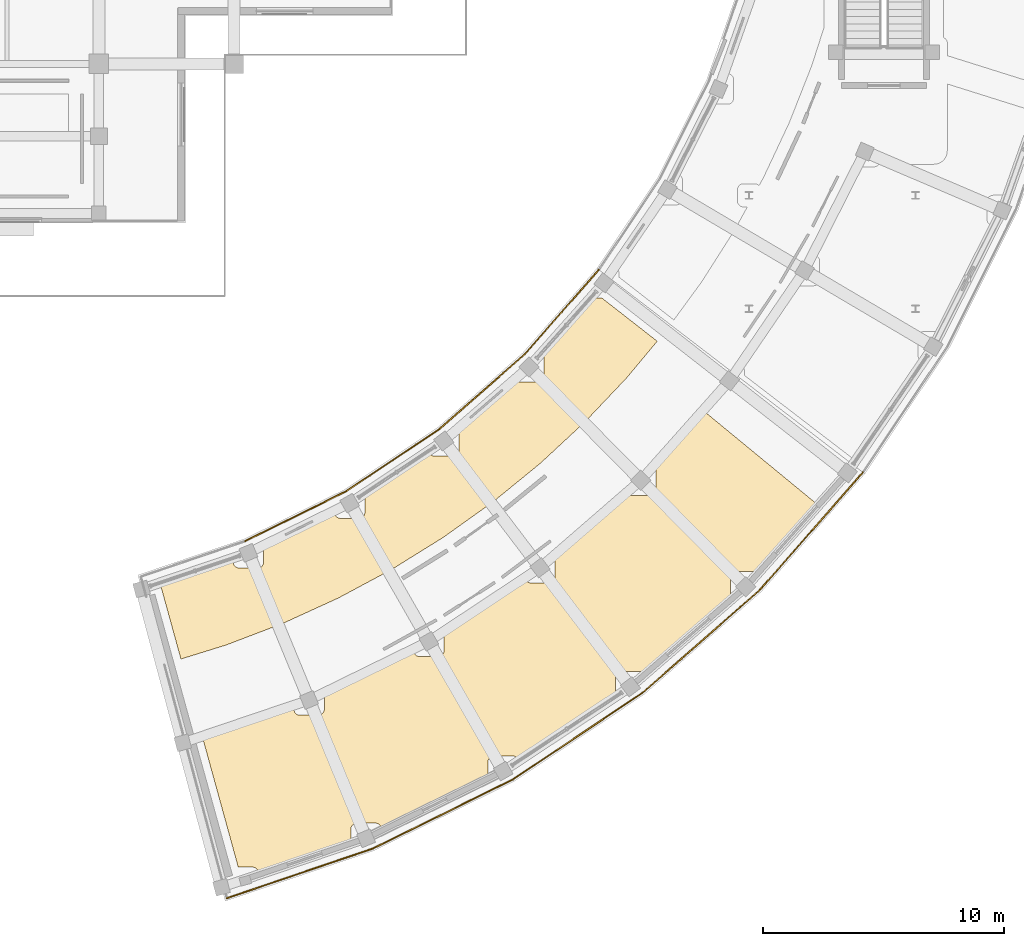
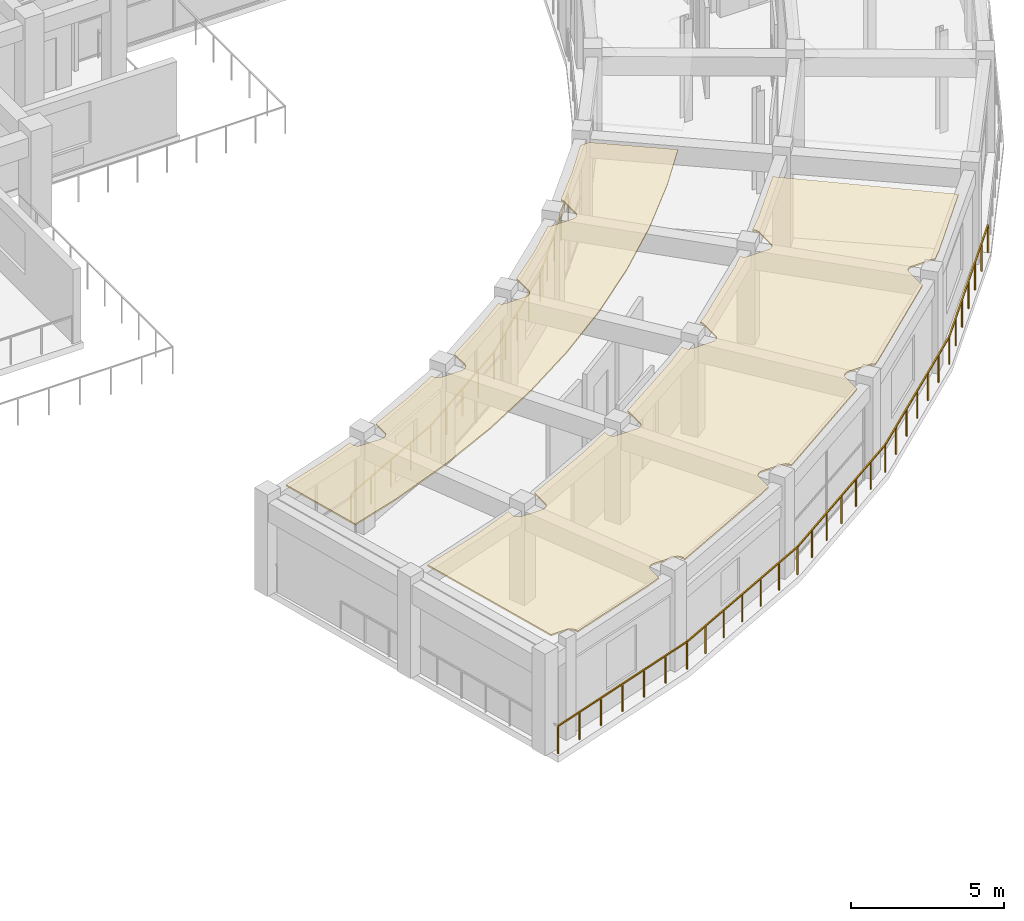
# One storey, part 63 of 72: 9 railings, 2 coverings.
"""IFC4 building model written with IfcOpenShell, lengths in metres."""

import ifcopenshell
import ifcopenshell.guid

model = None  # the IFC model being written
_history = None  # IfcOwnerHistory: only IFC2X3 demands one
_inside = {}  # id of a spatial element -> (the spatial element, [elements in it])
_under = {}  # id of a project, library or spatial element -> (it, [spatial elements below it])
_declared = {}  # id of a project -> (the project, [libraries it declares])
_typed = {}  # id of a type object -> (the type object, [elements of that type])
_made_of = {}  # id of a material, layer set ... -> (it, [elements and type objects made of it])


def new_model(schema):
    """Start an empty IFC model of exactly this schema.

    Asked for "IFC4X3", IfcOpenShell would pick the latest addendum, in which some entities
    have other attributes; the version numbers below select the first issue.
    IFC2X3 requires an IfcOwnerHistory on every rooted entity: one is made here for all.
    """
    global model, _history
    if schema == "IFC4X3":
        model = ifcopenshell.file(schema_version=(4, 3, 0, 0))
    else:
        model = ifcopenshell.file(schema=schema)
    _inside.clear()
    _under.clear()
    _declared.clear()
    _typed.clear()
    _made_of.clear()
    _history = None
    if model.schema == "IFC2X3":
        org = make("IfcOrganization", Name="unknown")
        user = make(
            "IfcPersonAndOrganization",
            ThePerson=make("IfcPerson", FamilyName="unknown"),
            TheOrganization=org,
        )
        app = make(
            "IfcApplication",
            ApplicationDeveloper=org,
            Version="unknown",
            ApplicationFullName="unknown",
            ApplicationIdentifier="unknown",
        )
        _history = make(
            "IfcOwnerHistory",
            OwningUser=user,
            OwningApplication=app,
            ChangeAction="ADDED",
            CreationDate=0,
        )
    return model


def make(cls, **values):
    """One entity of the class cls with the attributes given. An attribute that is None is left unset."""
    return model.create_entity(
        cls, **{name: value for name, value in values.items() if value is not None}
    )


def rooted(cls, **values):
    """An entity with a GlobalId (a new one), such as an element, a storey or a relation."""
    return make(cls, GlobalId=ifcopenshell.guid.new(), OwnerHistory=_history, **values)


def si_unit(unit_type, name, prefix=None):
    """IfcSIUnit, for example si_unit("LENGTHUNIT", "METRE", prefix="MILLI")."""
    return make("IfcSIUnit", UnitType=unit_type, Prefix=prefix, Name=name)


def assignment(units):
    """IfcUnitAssignment: the units of a project."""
    return None if units is None else make("IfcUnitAssignment", Units=units)


def point(xyz):
    """IfcCartesianPoint."""
    return None if xyz is None else make("IfcCartesianPoint", Coordinates=xyz)


def direction(xyz):
    """IfcDirection."""
    return None if xyz is None else make("IfcDirection", DirectionRatios=xyz)


def frame(location, z_axis=None, x_axis=None):
    """IfcAxis2Placement3D, a coordinate frame: its origin and axes. An axis left out is left unset."""
    return make(
        "IfcAxis2Placement3D",
        Location=point(location),
        Axis=direction(z_axis),
        RefDirection=direction(x_axis),
    )


def frame_2d(location, x_axis=None):
    """IfcAxis2Placement2D, a coordinate frame in the plane: its origin and x axis."""
    return make(
        "IfcAxis2Placement2D", Location=point(location), RefDirection=direction(x_axis)
    )


def origin():
    """The frame at (0, 0, 0) with its axes left unset."""
    return frame((0.0, 0.0, 0.0))


def origin_2d():
    """The frame at (0, 0) in the plane with its x axis left unset."""
    return frame_2d((0.0, 0.0))


def place(relative_to, where):
    """IfcLocalPlacement: puts the frame where relative to a parent placement (None: the world)."""
    return make(
        "IfcLocalPlacement", PlacementRelTo=relative_to, RelativePlacement=where
    )


def context(
    kind, dimensions, precision=None, world=None, true_north=None, identifier=None
):
    """IfcGeometricRepresentationContext, for example the 3D "Model" context."""
    return make(
        "IfcGeometricRepresentationContext",
        ContextIdentifier=identifier,
        ContextType=kind,
        CoordinateSpaceDimension=dimensions,
        Precision=precision,
        WorldCoordinateSystem=world,
        TrueNorth=true_north,
    )


def subcontext(parent, identifier, kind, view, scale=None):
    """IfcGeometricRepresentationSubContext, for example "Body" below "Model"."""
    return make(
        "IfcGeometricRepresentationSubContext",
        ContextIdentifier=identifier,
        ContextType=kind,
        ParentContext=parent,
        TargetScale=scale,
        TargetView=view,
    )


def project(units=None, contexts=None):
    """IfcProject with its units and contexts."""
    return rooted(
        "IfcProject",
        Name="project",
        RepresentationContexts=contexts,
        UnitsInContext=assignment(units),
    )


def spatial(cls, under=None, at=None, **own):
    """A site, building, storey or space (cls), placed at a placement, below another one or the project."""
    s = rooted(cls, ObjectPlacement=at, **own)
    if under is not None:
        _under.setdefault(under.id(), (under, []))[1].append(s)
    return s


def polyline(points):
    """IfcPolyline through the points."""
    return make("IfcPolyline", Points=[point(p) for p in points])


def profile(cls, at=None, kind="AREA", **sizes):
    """A parametric profile (cls). Its sizes go by their IFC names, for example OverallWidth=200.0."""
    return make(cls, ProfileType=kind, Position=at, **sizes)


def rectangle(**sizes):
    """IfcRectangleProfileDef."""
    return profile("IfcRectangleProfileDef", **sizes)


def outline(outer, holes=None, kind="AREA"):
    """IfcArbitraryClosedProfileDef: a profile drawn as a closed curve; with holes, ...WithVoids."""
    if holes is None:
        return make("IfcArbitraryClosedProfileDef", ProfileType=kind, OuterCurve=outer)
    return make(
        "IfcArbitraryProfileDefWithVoids",
        ProfileType=kind,
        OuterCurve=outer,
        InnerCurves=holes,
    )


def extrude(swept, where, along, depth):
    """IfcExtrudedAreaSolid: the profile swept, set in the frame where, extruded along a direction by depth."""
    return make(
        "IfcExtrudedAreaSolid",
        SweptArea=swept,
        Position=where,
        ExtrudedDirection=direction(along),
        Depth=depth,
    )


def shape(context_of_items, identifier, shape_type, items):
    """IfcShapeRepresentation: the items that make up one representation, for example the "Body"."""
    return make(
        "IfcShapeRepresentation",
        ContextOfItems=context_of_items,
        RepresentationIdentifier=identifier,
        RepresentationType=shape_type,
        Items=items,
    )


def material(Name=None, Category=None):
    """IfcMaterial."""
    return make("IfcMaterial", Name=Name, Category=Category)


def layer(
    of_material, thickness, ventilated=None, Name=None, Category=None, Priority=None
):
    """IfcMaterialLayer: one layer of a wall or slab, of a material (None: an air gap)."""
    return make(
        "IfcMaterialLayer",
        Material=of_material,
        LayerThickness=thickness,
        IsVentilated=ventilated,
        Name=Name,
        Category=Category,
        Priority=Priority,
    )


def layer_set(layers, Name=None):
    """IfcMaterialLayerSet."""
    return make("IfcMaterialLayerSet", MaterialLayers=layers, LayerSetName=Name)


def made_of(thing, what):
    """Note that an element or type object is made of a material, layer set ...; save() writes the relation."""
    if what is not None:
        _made_of.setdefault(what.id(), (what, []))[1].append(thing)
    return thing


def type_object(cls, material=None, **own):
    """A type object (cls), such as IfcWallType, which elements share."""
    return made_of(rooted(cls, **own), material)


def element(
    cls,
    number,
    at=None,
    inside=None,
    cuts=None,
    type_object=None,
    material=None,
    context=None,
    identifier="Body",
    shape_type=None,
    held_by="IfcProductDefinitionShape",
    body=None,
    shapes=None,
    **own,
):
    """One element of the class cls, such as IfcWall. Its Tag is "e" and its number.

    at: its placement. inside: the storey or other place that contains it. cuts: it is an
    opening in that element (IfcRelVoidsElement). A single representation is given by context,
    identifier, shape_type and body (its items); several are given by shapes. held_by: the class
    of the entity that holds the representations. save() writes the other relations.
    """
    e = rooted(cls, Tag="e%d" % number, ObjectPlacement=at, **own)
    if body is not None:
        shapes = [shape(context, identifier, shape_type, body)]
    if shapes is not None:
        e.Representation = make(held_by, Representations=shapes)
    if inside is not None:
        _inside.setdefault(inside.id(), (inside, []))[1].append(e)
    if cuts is not None:
        rooted(
            "IfcRelVoidsElement", RelatingBuildingElement=cuts, RelatedOpeningElement=e
        )
    if type_object is not None:
        _typed.setdefault(type_object.id(), (type_object, []))[1].append(e)
    return made_of(e, material)


def aggregate(whole, parts):
    """IfcRelAggregates: a whole, such as a stair, and the parts it consists of."""
    return rooted("IfcRelAggregates", RelatingObject=whole, RelatedObjects=parts)


def save(model, path):
    """Write the relations noted so far, then the file.

    IfcRelAggregates (storeys below a building ...), IfcRelContainedInSpatialStructure (elements
    in a storey), IfcRelDefinesByType, IfcRelAssociatesMaterial and IfcRelDeclares: one each for
    every whole, place, type object, material and project.
    """
    for whole, parts in _under.values():
        aggregate(whole, parts)
    for where, things in _inside.values():
        rooted(
            "IfcRelContainedInSpatialStructure",
            RelatedElements=things,
            RelatingStructure=where,
        )
    for kind, things in _typed.values():
        rooted("IfcRelDefinesByType", RelatedObjects=things, RelatingType=kind)
    for what, things in _made_of.values():
        rooted("IfcRelAssociatesMaterial", RelatedObjects=things, RelatingMaterial=what)
    for by, libraries in _declared.values():
        rooted("IfcRelDeclares", RelatingContext=by, RelatedDefinitions=libraries)
    model.write(path)


model = new_model("IFC4")

# Units and contexts
model_context = context("Model", 3, precision=1e-05, world=origin(), true_north=direction((0.0, 1.0)))
body_context = subcontext(model_context, "Body", "Model", "MODEL_VIEW")
ifc_project = project(units=[si_unit("LENGTHUNIT", "METRE"), si_unit("AREAUNIT", "SQUARE_METRE"), si_unit("VOLUMEUNIT", "CUBIC_METRE"), si_unit("PLANEANGLEUNIT", "RADIAN"), si_unit("MASSUNIT", "GRAM", prefix="KILO")], contexts=[model_context])

# Site, building, storey
site_placement = place(None, origin())
site = spatial("IfcSite", under=ifc_project, at=site_placement, CompositionType="ELEMENT")
building_placement = place(site_placement, origin())
building = spatial("IfcBuilding", under=site, at=building_placement, Name="Saryqyr Civic Hall", CompositionType="ELEMENT")
storey_placement = place(building_placement, frame((0.0, 0.0, 17.25)))
storey = spatial("IfcBuildingStorey", under=building, at=storey_placement, Name="L04", CompositionType="ELEMENT", Elevation=17.25)

# Coverings
ifc_material_1 = material(Name="Mineral-fibre acoustic ceiling tile", Category="acoustic_tile")
ifc_layer_1 = layer(ifc_material_1, 0.06005859375, Name="Mineral-fibre acoustic ceiling tile")
ifc_layer_set_1 = layer_set([ifc_layer_1], Name="Mineral-fibre acoustic ceiling tile")
covering_type = type_object("IfcCoveringType", Name="INT-COV-CEIL-60", PredefinedType="CEILING", material=ifc_layer_set_1)
covering_1_placement = place(storey_placement, frame((0.0, 0.0, 3.72998046875)))
element("IfcCovering", 1, at=covering_1_placement, inside=storey, type_object=covering_type, Name="Acoustic ceiling Smart-City Digital Twin & IT Suite", PredefinedType="CEILING", context=body_context, shape_type="SweptSolid", body=[
    extrude(outline(polyline([(72.683349609375, 44.256591796875), (72.683349609375, 44.05078125), (72.6845703125, 44.0263671875), (72.68798828125, 44.002197265625), (72.694091796875, 43.978271484375), (72.702392578125, 43.955078125), (72.712890625, 43.93310546875), (72.725341796875, 43.912109375), (72.739990234375, 43.892333984375), (72.756591796875, 43.8740234375), (72.774658203125, 43.857666015625), (72.79443359375, 43.843017578125), (72.8154296875, 43.830322265625), (72.837646484375, 43.81982421875), (72.860595703125, 43.811767578125), (72.884521484375, 43.8056640625), (72.90869140625, 43.802001953125), (72.933349609375, 43.80078125), (73.693359375, 43.80078125), (73.7177734375, 43.802001953125), (73.7421875, 43.8056640625), (73.765869140625, 43.811767578125), (73.7890625, 43.81982421875), (73.81103515625, 43.830322265625), (73.832275390625, 43.843017578125), (73.851806640625, 43.857666015625), (73.8701171875, 43.8740234375), (73.88671875, 43.892333984375), (73.901123046875, 43.912109375), (73.913818359375, 43.93310546875), (73.92431640625, 43.955078125), (73.9326171875, 43.978271484375), (73.9384765625, 44.002197265625), (73.942138671875, 44.0263671875), (73.943359375, 44.05078125), (73.943359375, 44.75439453125), (76.470947265625, 45.94189453125), (76.50439453125, 45.958984375), (77.64697265625, 46.59423828125), (77.64697265625, 46.4833984375), (77.648193359375, 46.458984375), (77.65185546875, 46.4345703125), (77.65771484375, 46.410888671875), (77.666015625, 46.3876953125), (77.676513671875, 46.365478515625), (77.689208984375, 46.344482421875), (77.70361328125, 46.32470703125), (77.72021484375, 46.306640625), (77.73828125, 46.2900390625), (77.758056640625, 46.275390625), (77.779296875, 46.262939453125), (77.80126953125, 46.25244140625), (77.824462890625, 46.244140625), (77.84814453125, 46.23828125), (77.87255859375, 46.234619140625), (77.89697265625, 46.2333984375), (78.656982421875, 46.2333984375), (78.681396484375, 46.234619140625), (78.705810546875, 46.23828125), (78.7294921875, 46.244140625), (78.752685546875, 46.25244140625), (78.77490234375, 46.262939453125), (78.7958984375, 46.275390625), (78.815673828125, 46.2900390625), (78.833740234375, 46.306640625), (78.850341796875, 46.32470703125), (78.864990234375, 46.344482421875), (78.87744140625, 46.365478515625), (78.887939453125, 46.3876953125), (78.896240234375, 46.410888671875), (78.902099609375, 46.4345703125), (78.90576171875, 46.458984375), (78.906982421875, 46.4833984375), (78.906982421875, 47.243408203125), (78.90576171875, 47.267822265625), (78.902099609375, 47.292236328125), (78.902099609375, 47.292236328125), (79.018798828125, 47.35693359375), (79.05078125, 47.376220703125), (81.464111328125, 48.942138671875), (81.494873046875, 48.963623046875), (82.255859375, 49.534912109375), (82.257080078125, 49.5107421875), (82.260498046875, 49.486572265625), (82.2666015625, 49.462646484375), (82.27490234375, 49.439697265625), (82.285400390625, 49.41748046875), (82.2978515625, 49.396484375), (82.3125, 49.376708984375), (82.3291015625, 49.3583984375), (82.34716796875, 49.342041015625), (82.366943359375, 49.327392578125), (82.387939453125, 49.314697265625), (82.41015625, 49.30419921875), (82.43310546875, 49.296142578125), (82.45703125, 49.2900390625), (82.481201171875, 49.28662109375), (82.505859375, 49.285400390625), (83.265869140625, 49.285400390625), (83.290283203125, 49.28662109375), (83.314697265625, 49.2900390625), (83.33837890625, 49.296142578125), (83.361572265625, 49.30419921875), (83.383544921875, 49.314697265625), (83.40478515625, 49.327392578125), (83.42431640625, 49.342041015625), (83.442626953125, 49.3583984375), (83.458984375, 49.376708984375), (83.4736328125, 49.396484375), (83.486328125, 49.41748046875), (83.496826171875, 49.439697265625), (83.5048828125, 49.462646484375), (83.510986328125, 49.486572265625), (83.5146484375, 49.5107421875), (83.515869140625, 49.535400390625), (83.515869140625, 50.29541015625), (83.5146484375, 50.31982421875), (83.510986328125, 50.343994140625), (83.5048828125, 50.367919921875), (83.496826171875, 50.39111328125), (83.486328125, 50.4130859375), (83.4736328125, 50.43408203125), (83.466796875, 50.443603515625), (83.795654296875, 50.6904296875), (83.824951171875, 50.714111328125), (86.0029296875, 52.593505859375), (86.030517578125, 52.618896484375), (86.459716796875, 53.043701171875), (86.46240234375, 53.0380859375), (86.474853515625, 53.016845703125), (86.489501953125, 52.997314453125), (86.506103515625, 52.97900390625), (86.524169921875, 52.96240234375), (86.5439453125, 52.947998046875), (86.56494140625, 52.935302734375), (86.587158203125, 52.9248046875), (86.610107421875, 52.91650390625), (86.634033203125, 52.91064453125), (86.658203125, 52.906982421875), (86.682861328125, 52.90576171875), (87.44287109375, 52.90576171875), (87.46728515625, 52.906982421875), (87.49169921875, 52.91064453125), (87.515380859375, 52.91650390625), (87.53857421875, 52.9248046875), (87.560546875, 52.935302734375), (87.581787109375, 52.947998046875), (87.601318359375, 52.96240234375), (87.61962890625, 52.97900390625), (87.635986328125, 52.997314453125), (87.650634765625, 53.016845703125), (87.663330078125, 53.0380859375), (87.673828125, 53.06005859375), (87.681884765625, 53.083251953125), (87.68798828125, 53.10693359375), (87.691650390625, 53.13134765625), (87.69287109375, 53.15576171875), (87.69287109375, 53.915771484375), (87.691650390625, 53.940185546875), (87.68798828125, 53.964599609375), (87.681884765625, 53.98828125), (87.673828125, 54.011474609375), (87.663330078125, 54.03369140625), (87.650634765625, 54.0546875), (87.635986328125, 54.074462890625), (87.61962890625, 54.092529296875), (87.601318359375, 54.109130859375), (87.581787109375, 54.123779296875), (87.5625, 54.135009765625), (88.0751953125, 54.642578125), (88.10107421875, 54.669921875), (89.651611328125, 56.42919921875), (94.39306640625, 52.529052734375), (92.24951171875, 50.084716796875), (91.894287109375, 49.7333984375), (91.893310546875, 49.733642578125), (91.870361328125, 49.741943359375), (91.846435546875, 49.747802734375), (91.822265625, 49.75146484375), (91.797607421875, 49.752685546875), (91.03759765625, 49.752685546875), (91.01318359375, 49.75146484375), (90.989013671875, 49.747802734375), (90.965087890625, 49.741943359375), (90.94189453125, 49.733642578125), (90.919921875, 49.72314453125), (90.898681640625, 49.710693359375), (90.879150390625, 49.696044921875), (90.86083984375, 49.679443359375), (90.844482421875, 49.661376953125), (90.829833984375, 49.6416015625), (90.817138671875, 49.62060546875), (90.806640625, 49.598388671875), (90.798583984375, 49.5751953125), (90.79248046875, 49.551513671875), (90.788818359375, 49.527099609375), (90.78759765625, 49.502685546875), (90.78759765625, 48.74267578125), (90.788818359375, 48.71826171875), (90.79248046875, 48.69384765625), (90.798583984375, 48.670166015625), (90.80419921875, 48.654541015625), (90.791748046875, 48.64208984375), (87.448486328125, 45.710205078125), (87.201416015625, 45.52490234375), (87.1923828125, 45.53466796875), (87.17431640625, 45.551025390625), (87.154541015625, 45.565673828125), (87.13330078125, 45.578369140625), (87.111328125, 45.5888671875), (87.088134765625, 45.596923828125), (87.064453125, 45.60302734375), (87.0400390625, 45.606689453125), (87.015625, 45.60791015625), (86.255615234375, 45.60791015625), (86.231201171875, 45.606689453125), (86.206787109375, 45.60302734375), (86.18310546875, 45.596923828125), (86.159912109375, 45.5888671875), (86.1376953125, 45.578369140625), (86.11669921875, 45.565673828125), (86.096923828125, 45.551025390625), (86.078857421875, 45.53466796875), (86.062255859375, 45.516357421875), (86.047607421875, 45.49658203125), (86.03515625, 45.4755859375), (86.024658203125, 45.45361328125), (86.016357421875, 45.430419921875), (86.010498046875, 45.406494140625), (86.0068359375, 45.38232421875), (86.005615234375, 45.35791015625), (86.005615234375, 44.62744140625), (85.82861328125, 44.49462890625), (82.1064453125, 42.007568359375), (81.978271484375, 41.936279296875), (81.97021484375, 41.95947265625), (81.959716796875, 41.9814453125), (81.947021484375, 42.002685546875), (81.932373046875, 42.022216796875), (81.916015625, 42.04052734375), (81.897705078125, 42.056884765625), (81.8779296875, 42.071533203125), (81.85693359375, 42.084228515625), (81.834716796875, 42.0947265625), (81.811767578125, 42.102783203125), (81.787841796875, 42.10888671875), (81.763671875, 42.112548828125), (81.739013671875, 42.11376953125), (80.97900390625, 42.11376953125), (80.95458984375, 42.112548828125), (80.930419921875, 42.10888671875), (80.906494140625, 42.102783203125), (80.88330078125, 42.0947265625), (80.861328125, 42.084228515625), (80.840087890625, 42.071533203125), (80.820556640625, 42.056884765625), (80.80224609375, 42.04052734375), (80.785888671875, 42.022216796875), (80.771240234375, 42.002685546875), (80.758544921875, 41.9814453125), (80.748046875, 41.95947265625), (80.739990234375, 41.936279296875), (80.73388671875, 41.91259765625), (80.730224609375, 41.88818359375), (80.72900390625, 41.86376953125), (80.72900390625, 41.24169921875), (80.373779296875, 41.044189453125), (76.306396484375, 39.0419921875), (76.306396484375, 39.078857421875), (76.30517578125, 39.103515625), (76.301513671875, 39.127685546875), (76.295654296875, 39.151611328125), (76.287353515625, 39.174560546875), (76.27685546875, 39.19677734375), (76.264404296875, 39.2177734375), (76.249755859375, 39.237548828125), (76.233154296875, 39.255615234375), (76.215087890625, 39.272216796875), (76.1953125, 39.286865234375), (76.17431640625, 39.29931640625), (76.152099609375, 39.309814453125), (76.12890625, 39.318115234375), (76.105224609375, 39.32421875), (76.080810546875, 39.32763671875), (76.056396484375, 39.328857421875), (75.29638671875, 39.328857421875), (75.27197265625, 39.32763671875), (75.24755859375, 39.32421875), (75.223876953125, 39.318115234375), (75.20068359375, 39.309814453125), (75.1787109375, 39.29931640625), (75.157470703125, 39.286865234375), (75.1376953125, 39.272216796875), (75.11962890625, 39.255615234375), (75.10302734375, 39.237548828125), (75.08837890625, 39.2177734375), (75.075927734375, 39.19677734375), (75.0654296875, 39.174560546875), (75.05712890625, 39.151611328125), (75.05126953125, 39.127685546875), (75.047607421875, 39.103515625), (75.04638671875, 39.078857421875), (75.04638671875, 38.54931640625), (74.531982421875, 38.34912109375), (71.2255859375, 37.24072265625), (71.2255859375, 37.25048828125), (71.224365234375, 37.275146484375), (71.220703125, 37.29931640625), (71.21484375, 37.3232421875), (71.20654296875, 37.34619140625), (71.196044921875, 37.368408203125), (71.18359375, 37.389404296875), (71.1689453125, 37.4091796875), (71.15234375, 37.427490234375), (71.13427734375, 37.44384765625), (71.114501953125, 37.45849609375), (71.093505859375, 37.47119140625), (71.0712890625, 37.481689453125), (71.048095703125, 37.48974609375), (71.0244140625, 37.495849609375), (71.0, 37.49951171875), (70.9755859375, 37.50048828125), (70.378662109375, 37.50048828125), (68.8779296875, 42.94873046875), (71.1162109375, 43.648193359375), (71.151611328125, 43.66064453125), (72.683349609375, 44.256591796875)])), origin(), (0.0, 0.0, 1.0), 0.06005859375),
])
covering_2_placement = place(storey_placement, frame((0.0, 0.0, 3.72998046875)))
element("IfcCovering", 2, at=covering_2_placement, inside=storey, type_object=covering_type, Name="Acoustic ceiling Standing Committee Room 6 (Infrastructure)", PredefinedType="CEILING", context=body_context, shape_type="SweptSolid", body=[
    extrude(outline(polyline([(70.167724609375, 50.152587890625), (70.1689453125, 50.128173828125), (70.172607421875, 50.103759765625), (70.178466796875, 50.080078125), (70.186767578125, 50.056884765625), (70.197265625, 50.034912109375), (70.209716796875, 50.013671875), (70.224365234375, 49.993896484375), (70.240966796875, 49.975830078125), (70.259033203125, 49.959228515625), (70.27880859375, 49.944580078125), (70.2998046875, 49.93212890625), (70.322021484375, 49.921630859375), (70.34521484375, 49.913330078125), (70.368896484375, 49.907470703125), (70.393310546875, 49.90380859375), (70.417724609375, 49.902587890625), (71.177734375, 49.902587890625), (71.2021484375, 49.90380859375), (71.2265625, 49.907470703125), (71.250244140625, 49.913330078125), (71.2734375, 49.921630859375), (71.29541015625, 49.93212890625), (71.316650390625, 49.944580078125), (71.336181640625, 49.959228515625), (71.3544921875, 49.975830078125), (71.37109375, 49.993896484375), (71.385498046875, 50.013671875), (71.398193359375, 50.034912109375), (71.40869140625, 50.056884765625), (71.4169921875, 50.080078125), (71.4228515625, 50.103759765625), (71.426513671875, 50.128173828125), (71.427734375, 50.152587890625), (71.427734375, 50.735595703125), (73.10400390625, 51.50146484375), (73.135498046875, 51.51708984375), (74.3681640625, 52.1787109375), (74.37060546875, 52.1611328125), (74.376708984375, 52.137451171875), (74.385009765625, 52.1142578125), (74.3955078125, 52.09228515625), (74.407958984375, 52.071044921875), (74.422607421875, 52.051513671875), (74.439208984375, 52.033203125), (74.457275390625, 52.0166015625), (74.47705078125, 52.002197265625), (74.498046875, 51.989501953125), (74.520263671875, 51.97900390625), (74.543212890625, 51.970703125), (74.567138671875, 51.96484375), (74.59130859375, 51.961181640625), (74.615966796875, 51.9599609375), (75.3759765625, 51.9599609375), (75.400390625, 51.961181640625), (75.4248046875, 51.96484375), (75.448486328125, 51.970703125), (75.4716796875, 51.97900390625), (75.49365234375, 51.989501953125), (75.514892578125, 52.002197265625), (75.534423828125, 52.0166015625), (75.552734375, 52.033203125), (75.569091796875, 52.051513671875), (75.583740234375, 52.071044921875), (75.596435546875, 52.09228515625), (75.60693359375, 52.1142578125), (75.614990234375, 52.137451171875), (75.62109375, 52.1611328125), (75.624755859375, 52.185546875), (75.6259765625, 52.2099609375), (75.6259765625, 52.89306640625), (77.115966796875, 53.81982421875), (77.145263671875, 53.83935546875), (78.29931640625, 54.663818359375), (78.30615234375, 54.65234375), (78.32080078125, 54.6328125), (78.337158203125, 54.614501953125), (78.35546875, 54.597900390625), (78.375, 54.58349609375), (78.396240234375, 54.57080078125), (78.418212890625, 54.560302734375), (78.44140625, 54.552001953125), (78.465087890625, 54.546142578125), (78.489501953125, 54.54248046875), (78.513916015625, 54.541259765625), (79.27392578125, 54.541259765625), (79.298583984375, 54.54248046875), (79.32275390625, 54.546142578125), (79.3466796875, 54.552001953125), (79.36962890625, 54.560302734375), (79.391845703125, 54.57080078125), (79.412841796875, 54.58349609375), (79.4326171875, 54.597900390625), (79.45068359375, 54.614501953125), (79.46728515625, 54.6328125), (79.48193359375, 54.65234375), (79.494384765625, 54.673583984375), (79.5048828125, 54.695556640625), (79.51318359375, 54.71875), (79.519287109375, 54.742431640625), (79.522705078125, 54.766845703125), (79.52392578125, 54.791259765625), (79.52392578125, 55.55126953125), (79.522705078125, 55.57568359375), (79.52099609375, 55.587890625), (80.7998046875, 56.630859375), (80.826416015625, 56.654052734375), (81.900634765625, 57.651123046875), (81.907958984375, 57.6455078125), (81.92919921875, 57.633056640625), (81.951171875, 57.62255859375), (81.974365234375, 57.6142578125), (81.998046875, 57.6083984375), (82.0224609375, 57.604736328125), (82.046875, 57.603515625), (82.806884765625, 57.603515625), (82.831298828125, 57.604736328125), (82.855712890625, 57.6083984375), (82.87939453125, 57.6142578125), (82.902587890625, 57.62255859375), (82.9248046875, 57.633056640625), (82.94580078125, 57.6455078125), (82.965576171875, 57.66015625), (82.983642578125, 57.6767578125), (83.000244140625, 57.69482421875), (83.014892578125, 57.714599609375), (83.02734375, 57.735595703125), (83.037841796875, 57.7578125), (83.046142578125, 57.781005859375), (83.052001953125, 57.8046875), (83.0556640625, 57.8291015625), (83.056884765625, 57.853515625), (83.056884765625, 58.613525390625), (83.0556640625, 58.637939453125), (83.052001953125, 58.662353515625), (83.046142578125, 58.68603515625), (83.037841796875, 58.709228515625), (83.02734375, 58.731201171875), (83.01611328125, 58.75048828125), (84.094970703125, 59.888671875), (84.118408203125, 59.9150390625), (85.106201171875, 61.1005859375), (85.10693359375, 61.100341796875), (85.131103515625, 61.0966796875), (85.15576171875, 61.095458984375), (85.448974609375, 61.095458984375), (87.7451171875, 59.30322265625), (86.483154296875, 57.7890625), (84.748779296875, 55.958984375), (82.90087890625, 54.243896484375), (80.947265625, 52.650146484375), (78.8955078125, 51.184326171875), (76.754638671875, 49.852783203125), (74.532958984375, 48.66064453125), (72.23974609375, 47.61279296875), (69.88427734375, 46.713623046875), (68.001708984375, 46.129638671875), (67.157470703125, 49.195068359375), (68.8291015625, 49.71337890625), (68.8623046875, 49.72509765625), (70.167724609375, 50.223388671875), (70.167724609375, 50.152587890625)])), origin(), (0.0, 0.0, 1.0), 0.06005859375),
])

# Railings
ifc_material_2 = material(Name="Warm brushed brass and laminated glass", Category="glass")
ifc_layer_2 = layer(ifc_material_2, 0.06005859375, Name="Warm brushed brass and laminated glass")
ifc_layer_set_2 = layer_set([ifc_layer_2], Name="Warm brushed brass and laminated glass")
railing_type = type_object("IfcRailingType", Name="INT-RLG-BAL-1100", PredefinedType="BALUSTRADE", material=ifc_layer_set_2)
railing_1_placement = place(storey_placement, frame((96.270751953125, 53.866455078125, 0.0)))
element("IfcRailing", 3, at=railing_1_placement, inside=storey, type_object=railing_type, Name="Interior deck safety balustrade L04-065", PredefinedType="BALUSTRADE", context=body_context, shape_type="SweptSolid", body=[
    extrude(rectangle(XDim=0.048095703125, YDim=0.048095703125, at=origin_2d()), frame((0.0, 0.0, 1.09619140625), z_axis=(-0.659326405009, -0.751856829228, 0.0), x_axis=(0.751856829228, -0.659326405009, 0.0)), (0.0, 0.0, 1.0), 6.474853515625),
    extrude(rectangle(XDim=0.0419921875, YDim=0.0419921875, at=origin_2d()), origin(), (0.0, 0.0, 1.0), 1.072021484375),
    extrude(rectangle(XDim=0.0419921875, YDim=0.0419921875, at=origin_2d()), frame((-0.71142578125, -0.811279296875, 0.0)), (0.0, 0.0, 1.0), 1.072021484375),
    extrude(rectangle(XDim=0.0419921875, YDim=0.0419921875, at=origin_2d()), frame((-1.423095703125, -1.622802734375, 0.0)), (0.0, 0.0, 1.0), 1.072021484375),
    extrude(rectangle(XDim=0.0419921875, YDim=0.0419921875, at=origin_2d()), frame((-2.134521484375, -2.43408203125, 0.0)), (0.0, 0.0, 1.0), 1.072021484375),
    extrude(rectangle(XDim=0.0419921875, YDim=0.0419921875, at=origin_2d()), frame((-2.845947265625, -3.245361328125, 0.0)), (0.0, 0.0, 1.0), 1.072021484375),
    extrude(rectangle(XDim=0.0419921875, YDim=0.0419921875, at=origin_2d()), frame((-3.5576171875, -4.056884765625, 0.0)), (0.0, 0.0, 1.0), 1.072021484375),
    extrude(rectangle(XDim=0.0419921875, YDim=0.0419921875, at=origin_2d()), frame((-4.26904296875, -4.8681640625, 0.0)), (0.0, 0.0, 1.0), 1.072021484375),
])
railing_2_placement = place(storey_placement, frame((92.001708984375, 48.998291015625, 0.0)))
element("IfcRailing", 4, at=railing_2_placement, inside=storey, type_object=railing_type, Name="Interior deck safety balustrade L04-066", PredefinedType="BALUSTRADE", context=body_context, shape_type="SweptSolid", body=[
    extrude(rectangle(XDim=0.048095703125, YDim=0.048095703125, at=origin_2d()), frame((0.0, 0.0, 1.09619140625), z_axis=(-0.751856829228, -0.659326405009, 0.0), x_axis=(0.659326405009, -0.751856829228, 0.0)), (0.0, 0.0, 1.0), 6.474853515625),
    extrude(rectangle(XDim=0.0419921875, YDim=0.0419921875, at=origin_2d()), origin(), (0.0, 0.0, 1.0), 1.072021484375),
    extrude(rectangle(XDim=0.0419921875, YDim=0.0419921875, at=origin_2d()), frame((-0.811279296875, -0.71142578125, 0.0)), (0.0, 0.0, 1.0), 1.072021484375),
    extrude(rectangle(XDim=0.0419921875, YDim=0.0419921875, at=origin_2d()), frame((-1.622802734375, -1.423095703125, 0.0)), (0.0, 0.0, 1.0), 1.072021484375),
    extrude(rectangle(XDim=0.0419921875, YDim=0.0419921875, at=origin_2d()), frame((-2.43408203125, -2.134521484375, 0.0)), (0.0, 0.0, 1.0), 1.072021484375),
    extrude(rectangle(XDim=0.0419921875, YDim=0.0419921875, at=origin_2d()), frame((-3.245361328125, -2.845947265625, 0.0)), (0.0, 0.0, 1.0), 1.072021484375),
    extrude(rectangle(XDim=0.0419921875, YDim=0.0419921875, at=origin_2d()), frame((-4.056884765625, -3.5576171875, 0.0)), (0.0, 0.0, 1.0), 1.072021484375),
    extrude(rectangle(XDim=0.0419921875, YDim=0.0419921875, at=origin_2d()), frame((-4.8681640625, -4.26904296875, 0.0)), (0.0, 0.0, 1.0), 1.072021484375),
])
railing_3_placement = place(storey_placement, frame((87.133544921875, 44.729248046875, 0.0)))
element("IfcRailing", 5, at=railing_3_placement, inside=storey, type_object=railing_type, Name="Interior deck safety balustrade L04-067", PredefinedType="BALUSTRADE", context=body_context, shape_type="SweptSolid", body=[
    extrude(rectangle(XDim=0.048095703125, YDim=0.048095703125, at=origin_2d()), frame((0.0, 0.0, 1.09619140625), z_axis=(-0.831452318502, -0.55559611415, 0.0), x_axis=(0.55559611415, -0.831452318502, 0.0)), (0.0, 0.0, 1.0), 6.474853515625),
    extrude(rectangle(XDim=0.0419921875, YDim=0.0419921875, at=origin_2d()), origin(), (0.0, 0.0, 1.0), 1.072021484375),
    extrude(rectangle(XDim=0.0419921875, YDim=0.0419921875, at=origin_2d()), frame((-0.897216796875, -0.599609375, 0.0)), (0.0, 0.0, 1.0), 1.072021484375),
    extrude(rectangle(XDim=0.0419921875, YDim=0.0419921875, at=origin_2d()), frame((-1.79443359375, -1.19921875, 0.0)), (0.0, 0.0, 1.0), 1.072021484375),
    extrude(rectangle(XDim=0.0419921875, YDim=0.0419921875, at=origin_2d()), frame((-2.69189453125, -1.798828125, 0.0)), (0.0, 0.0, 1.0), 1.072021484375),
    extrude(rectangle(XDim=0.0419921875, YDim=0.0419921875, at=origin_2d()), frame((-3.589111328125, -2.398193359375, 0.0)), (0.0, 0.0, 1.0), 1.072021484375),
    extrude(rectangle(XDim=0.0419921875, YDim=0.0419921875, at=origin_2d()), frame((-4.486328125, -2.997802734375, 0.0)), (0.0, 0.0, 1.0), 1.072021484375),
    extrude(rectangle(XDim=0.0419921875, YDim=0.0419921875, at=origin_2d()), frame((-5.383544921875, -3.597412109375, 0.0)), (0.0, 0.0, 1.0), 1.072021484375),
])
railing_4_placement = place(storey_placement, frame((81.75, 41.1318359375, 0.0)))
element("IfcRailing", 6, at=railing_4_placement, inside=storey, type_object=railing_type, Name="Interior deck safety balustrade L04-068", PredefinedType="BALUSTRADE", context=body_context, shape_type="SweptSolid", body=[
    extrude(rectangle(XDim=0.048095703125, YDim=0.048095703125, at=origin_2d()), frame((0.0, 0.0, 1.09619140625), z_axis=(-0.89689443152, -0.442244704557, 0.0), x_axis=(0.442244704557, -0.89689443152, 0.0)), (0.0, 0.0, 1.0), 6.47509765625),
    extrude(rectangle(XDim=0.0419921875, YDim=0.0419921875, at=origin_2d()), origin(), (0.0, 0.0, 1.0), 1.072021484375),
    extrude(rectangle(XDim=0.0419921875, YDim=0.0419921875, at=origin_2d()), frame((-0.9677734375, -0.477294921875, 0.0)), (0.0, 0.0, 1.0), 1.072021484375),
    extrude(rectangle(XDim=0.0419921875, YDim=0.0419921875, at=origin_2d()), frame((-1.935791015625, -0.95458984375, 0.0)), (0.0, 0.0, 1.0), 1.072021484375),
    extrude(rectangle(XDim=0.0419921875, YDim=0.0419921875, at=origin_2d()), frame((-2.90380859375, -1.431640625, 0.0)), (0.0, 0.0, 1.0), 1.072021484375),
    extrude(rectangle(XDim=0.0419921875, YDim=0.0419921875, at=origin_2d()), frame((-3.87158203125, -1.908935546875, 0.0)), (0.0, 0.0, 1.0), 1.072021484375),
    extrude(rectangle(XDim=0.0419921875, YDim=0.0419921875, at=origin_2d()), frame((-4.83935546875, -2.38623046875, 0.0)), (0.0, 0.0, 1.0), 1.072021484375),
    extrude(rectangle(XDim=0.0419921875, YDim=0.0419921875, at=origin_2d()), frame((-5.807373046875, -2.863525390625, 0.0)), (0.0, 0.0, 1.0), 1.072021484375),
])
railing_5_placement = place(storey_placement, frame((75.942626953125, 38.268310546875, 0.0)))
element("IfcRailing", 7, at=railing_5_placement, inside=storey, type_object=railing_type, Name="Interior deck safety balustrade L04-069", PredefinedType="BALUSTRADE", context=body_context, shape_type="SweptSolid", body=[
    extrude(rectangle(XDim=0.048095703125, YDim=0.048095703125, at=origin_2d()), frame((0.0, 0.0, 1.09619140625), z_axis=(-0.946914589927, -0.321485239761, 0.0), x_axis=(0.321485239761, -0.946914589927, 0.0)), (0.0, 0.0, 1.0), 6.37451171875),
    extrude(rectangle(XDim=0.0419921875, YDim=0.0419921875, at=origin_2d()), origin(), (0.0, 0.0, 1.0), 1.072021484375),
    extrude(rectangle(XDim=0.0419921875, YDim=0.0419921875, at=origin_2d()), frame((-1.006103515625, -0.341552734375, 0.0)), (0.0, 0.0, 1.0), 1.072021484375),
    extrude(rectangle(XDim=0.0419921875, YDim=0.0419921875, at=origin_2d()), frame((-2.011962890625, -0.68310546875, 0.0)), (0.0, 0.0, 1.0), 1.072021484375),
    extrude(rectangle(XDim=0.0419921875, YDim=0.0419921875, at=origin_2d()), frame((-3.01806640625, -1.024658203125, 0.0)), (0.0, 0.0, 1.0), 1.072021484375),
    extrude(rectangle(XDim=0.0419921875, YDim=0.0419921875, at=origin_2d()), frame((-4.024169921875, -1.3662109375, 0.0)), (0.0, 0.0, 1.0), 1.072021484375),
    extrude(rectangle(XDim=0.0419921875, YDim=0.0419921875, at=origin_2d()), frame((-5.030029296875, -1.707763671875, 0.0)), (0.0, 0.0, 1.0), 1.072021484375),
    extrude(rectangle(XDim=0.0419921875, YDim=0.0419921875, at=origin_2d()), frame((-6.0361328125, -2.04931640625, 0.0)), (0.0, 0.0, 1.0), 1.072021484375),
])
railing_6_placement = place(storey_placement, frame((70.661865234375, 51.017333984375, 0.0)))
element("IfcRailing", 8, at=railing_6_placement, inside=storey, type_object=railing_type, Name="Interior deck safety balustrade L04-073", PredefinedType="BALUSTRADE", context=body_context, shape_type="SweptSolid", body=[
    extrude(rectangle(XDim=0.048095703125, YDim=0.048095703125, at=origin_2d()), frame((0.0, 0.0, 1.09619140625), z_axis=(0.896870870578, 0.44229248412, 0.0), x_axis=(-0.44229248412, 0.896870870578, 0.0)), (0.0, 0.0, 1.0), 4.669921875),
    extrude(rectangle(XDim=0.0419921875, YDim=0.0419921875, at=origin_2d()), origin(), (0.0, 0.0, 1.0), 1.072021484375),
    extrude(rectangle(XDim=0.0419921875, YDim=0.0419921875, at=origin_2d()), frame((1.047119140625, 0.516357421875, 0.0)), (0.0, 0.0, 1.0), 1.072021484375),
    extrude(rectangle(XDim=0.0419921875, YDim=0.0419921875, at=origin_2d()), frame((2.09423828125, 1.03271484375, 0.0)), (0.0, 0.0, 1.0), 1.072021484375),
    extrude(rectangle(XDim=0.0419921875, YDim=0.0419921875, at=origin_2d()), frame((3.14111328125, 1.549072265625, 0.0)), (0.0, 0.0, 1.0), 1.072021484375),
    extrude(rectangle(XDim=0.0419921875, YDim=0.0419921875, at=origin_2d()), frame((4.188232421875, 2.0654296875, 0.0)), (0.0, 0.0, 1.0), 1.072021484375),
])
railing_7_placement = place(storey_placement, frame((74.85009765625, 53.082763671875, 0.0)))
element("IfcRailing", 9, at=railing_7_placement, inside=storey, type_object=railing_type, Name="Interior deck safety balustrade L04-074", PredefinedType="BALUSTRADE", context=body_context, shape_type="SweptSolid", body=[
    extrude(rectangle(XDim=0.048095703125, YDim=0.048095703125, at=origin_2d()), frame((0.0, 0.0, 1.09619140625), z_axis=(0.831486832924, 0.555544459674, 0.0), x_axis=(-0.555544459674, 0.831486832924, 0.0)), (0.0, 0.0, 1.0), 4.669677734375),
    extrude(rectangle(XDim=0.0419921875, YDim=0.0419921875, at=origin_2d()), origin(), (0.0, 0.0, 1.0), 1.072021484375),
    extrude(rectangle(XDim=0.0419921875, YDim=0.0419921875, at=origin_2d()), frame((0.970703125, 0.6484375, 0.0)), (0.0, 0.0, 1.0), 1.072021484375),
    extrude(rectangle(XDim=0.0419921875, YDim=0.0419921875, at=origin_2d()), frame((1.94140625, 1.297119140625, 0.0)), (0.0, 0.0, 1.0), 1.072021484375),
    extrude(rectangle(XDim=0.0419921875, YDim=0.0419921875, at=origin_2d()), frame((2.912109375, 1.94580078125, 0.0)), (0.0, 0.0, 1.0), 1.072021484375),
    extrude(rectangle(XDim=0.0419921875, YDim=0.0419921875, at=origin_2d()), frame((3.8828125, 2.59423828125, 0.0)), (0.0, 0.0, 1.0), 1.072021484375),
])
railing_8_placement = place(storey_placement, frame((78.73291015625, 55.677001953125, 0.0)))
element("IfcRailing", 10, at=railing_8_placement, inside=storey, type_object=railing_type, Name="Interior deck safety balustrade L04-075", PredefinedType="BALUSTRADE", context=body_context, shape_type="SweptSolid", body=[
    extrude(rectangle(XDim=0.048095703125, YDim=0.048095703125, at=origin_2d()), frame((0.0, 0.0, 1.09619140625), z_axis=(0.751834585706, 0.659351769343, 0.0), x_axis=(-0.659351769343, 0.751834585706, 0.0)), (0.0, 0.0, 1.0), 4.669921875),
    extrude(rectangle(XDim=0.0419921875, YDim=0.0419921875, at=origin_2d()), origin(), (0.0, 0.0, 1.0), 1.072021484375),
    extrude(rectangle(XDim=0.0419921875, YDim=0.0419921875, at=origin_2d()), frame((0.877685546875, 0.769775390625, 0.0)), (0.0, 0.0, 1.0), 1.072021484375),
    extrude(rectangle(XDim=0.0419921875, YDim=0.0419921875, at=origin_2d()), frame((1.75537109375, 1.53955078125, 0.0)), (0.0, 0.0, 1.0), 1.072021484375),
    extrude(rectangle(XDim=0.0419921875, YDim=0.0419921875, at=origin_2d()), frame((2.63330078125, 2.309326171875, 0.0)), (0.0, 0.0, 1.0), 1.072021484375),
    extrude(rectangle(XDim=0.0419921875, YDim=0.0419921875, at=origin_2d()), frame((3.510986328125, 3.0791015625, 0.0)), (0.0, 0.0, 1.0), 1.072021484375),
])
railing_9_placement = place(storey_placement, frame((82.243896484375, 58.756103515625, 0.0)))
element("IfcRailing", 11, at=railing_9_placement, inside=storey, type_object=railing_type, Name="Interior deck safety balustrade L04-076", PredefinedType="BALUSTRADE", context=body_context, shape_type="SweptSolid", body=[
    extrude(rectangle(XDim=0.048095703125, YDim=0.048095703125, at=origin_2d()), frame((0.0, 0.0, 1.09619140625), z_axis=(0.659351769343, 0.751834585706, 0.0), x_axis=(-0.751834585706, 0.659351769343, 0.0)), (0.0, 0.0, 1.0), 4.669921875),
    extrude(rectangle(XDim=0.0419921875, YDim=0.0419921875, at=origin_2d()), origin(), (0.0, 0.0, 1.0), 1.072021484375),
    extrude(rectangle(XDim=0.0419921875, YDim=0.0419921875, at=origin_2d()), frame((0.769775390625, 0.877685546875, 0.0)), (0.0, 0.0, 1.0), 1.072021484375),
    extrude(rectangle(XDim=0.0419921875, YDim=0.0419921875, at=origin_2d()), frame((1.53955078125, 1.75537109375, 0.0)), (0.0, 0.0, 1.0), 1.072021484375),
    extrude(rectangle(XDim=0.0419921875, YDim=0.0419921875, at=origin_2d()), frame((2.309326171875, 2.63330078125, 0.0)), (0.0, 0.0, 1.0), 1.072021484375),
    extrude(rectangle(XDim=0.0419921875, YDim=0.0419921875, at=origin_2d()), frame((3.0791015625, 3.510986328125, 0.0)), (0.0, 0.0, 1.0), 1.072021484375),
])

save(model, "model.ifc")
